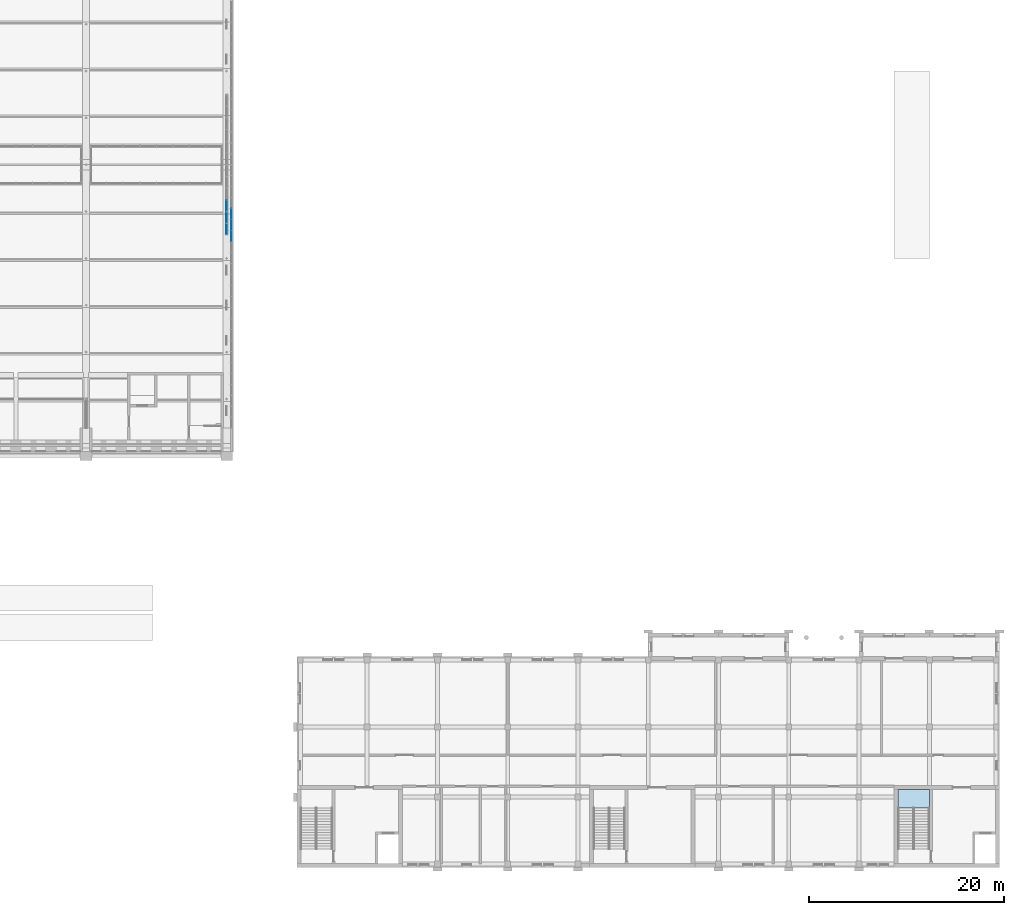
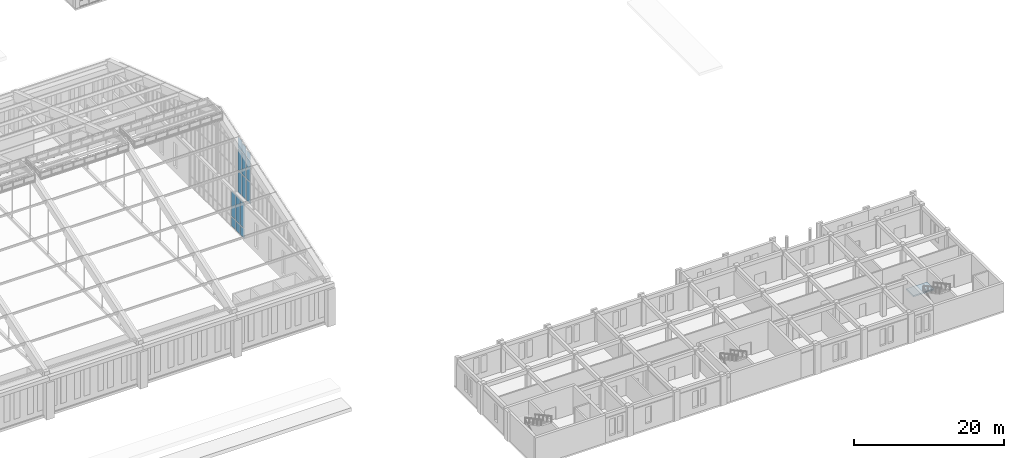
# One storey, part 117 of 149: 15 plates, 1 slab, 3 elements without a shape of their own.
"""IFC4 building model written with IfcOpenShell, lengths in metres."""

import ifcopenshell
import ifcopenshell.guid

model = None  # the IFC model being written
_history = None  # IfcOwnerHistory: only IFC2X3 demands one
_inside = {}  # id of a spatial element -> (the spatial element, [elements in it])
_under = {}  # id of a project, library or spatial element -> (it, [spatial elements below it])
_declared = {}  # id of a project -> (the project, [libraries it declares])
_typed = {}  # id of a type object -> (the type object, [elements of that type])
_made_of = {}  # id of a material, layer set ... -> (it, [elements and type objects made of it])


def new_model(schema):
    """Start an empty IFC model of exactly this schema.

    Asked for "IFC4X3", IfcOpenShell would pick the latest addendum, in which some entities
    have other attributes; the version numbers below select the first issue.
    IFC2X3 requires an IfcOwnerHistory on every rooted entity: one is made here for all.
    """
    global model, _history
    if schema == "IFC4X3":
        model = ifcopenshell.file(schema_version=(4, 3, 0, 0))
    else:
        model = ifcopenshell.file(schema=schema)
    _inside.clear()
    _under.clear()
    _declared.clear()
    _typed.clear()
    _made_of.clear()
    _history = None
    if model.schema == "IFC2X3":
        org = make("IfcOrganization", Name="unknown")
        user = make(
            "IfcPersonAndOrganization",
            ThePerson=make("IfcPerson", FamilyName="unknown"),
            TheOrganization=org,
        )
        app = make(
            "IfcApplication",
            ApplicationDeveloper=org,
            Version="unknown",
            ApplicationFullName="unknown",
            ApplicationIdentifier="unknown",
        )
        _history = make(
            "IfcOwnerHistory",
            OwningUser=user,
            OwningApplication=app,
            ChangeAction="ADDED",
            CreationDate=0,
        )
    return model


def make(cls, **values):
    """One entity of the class cls with the attributes given. An attribute that is None is left unset."""
    return model.create_entity(
        cls, **{name: value for name, value in values.items() if value is not None}
    )


def rooted(cls, **values):
    """An entity with a GlobalId (a new one), such as an element, a storey or a relation."""
    return make(cls, GlobalId=ifcopenshell.guid.new(), OwnerHistory=_history, **values)


def si_unit(unit_type, name, prefix=None):
    """IfcSIUnit, for example si_unit("LENGTHUNIT", "METRE", prefix="MILLI")."""
    return make("IfcSIUnit", UnitType=unit_type, Prefix=prefix, Name=name)


def assignment(units):
    """IfcUnitAssignment: the units of a project."""
    return None if units is None else make("IfcUnitAssignment", Units=units)


def point(xyz):
    """IfcCartesianPoint."""
    return None if xyz is None else make("IfcCartesianPoint", Coordinates=xyz)


def direction(xyz):
    """IfcDirection."""
    return None if xyz is None else make("IfcDirection", DirectionRatios=xyz)


def frame(location, z_axis=None, x_axis=None):
    """IfcAxis2Placement3D, a coordinate frame: its origin and axes. An axis left out is left unset."""
    return make(
        "IfcAxis2Placement3D",
        Location=point(location),
        Axis=direction(z_axis),
        RefDirection=direction(x_axis),
    )


def frame_2d(location, x_axis=None):
    """IfcAxis2Placement2D, a coordinate frame in the plane: its origin and x axis."""
    return make(
        "IfcAxis2Placement2D", Location=point(location), RefDirection=direction(x_axis)
    )


def origin():
    """The frame at (0, 0, 0) with its axes left unset."""
    return frame((0.0, 0.0, 0.0))


def origin_2d():
    """The frame at (0, 0) in the plane with its x axis left unset."""
    return frame_2d((0.0, 0.0))


def place(relative_to, where):
    """IfcLocalPlacement: puts the frame where relative to a parent placement (None: the world)."""
    return make(
        "IfcLocalPlacement", PlacementRelTo=relative_to, RelativePlacement=where
    )


def context(
    kind, dimensions, precision=None, world=None, true_north=None, identifier=None
):
    """IfcGeometricRepresentationContext, for example the 3D "Model" context."""
    return make(
        "IfcGeometricRepresentationContext",
        ContextIdentifier=identifier,
        ContextType=kind,
        CoordinateSpaceDimension=dimensions,
        Precision=precision,
        WorldCoordinateSystem=world,
        TrueNorth=true_north,
    )


def subcontext(parent, identifier, kind, view, scale=None):
    """IfcGeometricRepresentationSubContext, for example "Body" below "Model"."""
    return make(
        "IfcGeometricRepresentationSubContext",
        ContextIdentifier=identifier,
        ContextType=kind,
        ParentContext=parent,
        TargetScale=scale,
        TargetView=view,
    )


def project(units=None, contexts=None):
    """IfcProject with its units and contexts."""
    return rooted(
        "IfcProject",
        Name="project",
        RepresentationContexts=contexts,
        UnitsInContext=assignment(units),
    )


def spatial(cls, under=None, at=None, **own):
    """A site, building, storey or space (cls), placed at a placement, below another one or the project."""
    s = rooted(cls, ObjectPlacement=at, **own)
    if under is not None:
        _under.setdefault(under.id(), (under, []))[1].append(s)
    return s


def polyline(points):
    """IfcPolyline through the points."""
    return make("IfcPolyline", Points=[point(p) for p in points])


def profile(cls, at=None, kind="AREA", **sizes):
    """A parametric profile (cls). Its sizes go by their IFC names, for example OverallWidth=200.0."""
    return make(cls, ProfileType=kind, Position=at, **sizes)


def rectangle(**sizes):
    """IfcRectangleProfileDef."""
    return profile("IfcRectangleProfileDef", **sizes)


def outline(outer, holes=None, kind="AREA"):
    """IfcArbitraryClosedProfileDef: a profile drawn as a closed curve; with holes, ...WithVoids."""
    if holes is None:
        return make("IfcArbitraryClosedProfileDef", ProfileType=kind, OuterCurve=outer)
    return make(
        "IfcArbitraryProfileDefWithVoids",
        ProfileType=kind,
        OuterCurve=outer,
        InnerCurves=holes,
    )


def extrude(swept, where, along, depth):
    """IfcExtrudedAreaSolid: the profile swept, set in the frame where, extruded along a direction by depth."""
    return make(
        "IfcExtrudedAreaSolid",
        SweptArea=swept,
        Position=where,
        ExtrudedDirection=direction(along),
        Depth=depth,
    )


def shape(context_of_items, identifier, shape_type, items):
    """IfcShapeRepresentation: the items that make up one representation, for example the "Body"."""
    return make(
        "IfcShapeRepresentation",
        ContextOfItems=context_of_items,
        RepresentationIdentifier=identifier,
        RepresentationType=shape_type,
        Items=items,
    )


def material(Name=None, Category=None):
    """IfcMaterial."""
    return make("IfcMaterial", Name=Name, Category=Category)


def layer(
    of_material, thickness, ventilated=None, Name=None, Category=None, Priority=None
):
    """IfcMaterialLayer: one layer of a wall or slab, of a material (None: an air gap)."""
    return make(
        "IfcMaterialLayer",
        Material=of_material,
        LayerThickness=thickness,
        IsVentilated=ventilated,
        Name=Name,
        Category=Category,
        Priority=Priority,
    )


def layer_set(layers, Name=None):
    """IfcMaterialLayerSet."""
    return make("IfcMaterialLayerSet", MaterialLayers=layers, LayerSetName=Name)


def made_of(thing, what):
    """Note that an element or type object is made of a material, layer set ...; save() writes the relation."""
    if what is not None:
        _made_of.setdefault(what.id(), (what, []))[1].append(thing)
    return thing


def type_object(cls, material=None, **own):
    """A type object (cls), such as IfcWallType, which elements share."""
    return made_of(rooted(cls, **own), material)


def element(
    cls,
    number,
    at=None,
    inside=None,
    cuts=None,
    type_object=None,
    material=None,
    context=None,
    identifier="Body",
    shape_type=None,
    held_by="IfcProductDefinitionShape",
    body=None,
    shapes=None,
    **own,
):
    """One element of the class cls, such as IfcWall. Its Tag is "e" and its number.

    at: its placement. inside: the storey or other place that contains it. cuts: it is an
    opening in that element (IfcRelVoidsElement). A single representation is given by context,
    identifier, shape_type and body (its items); several are given by shapes. held_by: the class
    of the entity that holds the representations. save() writes the other relations.
    """
    e = rooted(cls, Tag="e%d" % number, ObjectPlacement=at, **own)
    if body is not None:
        shapes = [shape(context, identifier, shape_type, body)]
    if shapes is not None:
        e.Representation = make(held_by, Representations=shapes)
    if inside is not None:
        _inside.setdefault(inside.id(), (inside, []))[1].append(e)
    if cuts is not None:
        rooted(
            "IfcRelVoidsElement", RelatingBuildingElement=cuts, RelatedOpeningElement=e
        )
    if type_object is not None:
        _typed.setdefault(type_object.id(), (type_object, []))[1].append(e)
    return made_of(e, material)


def aggregate(whole, parts):
    """IfcRelAggregates: a whole, such as a stair, and the parts it consists of."""
    return rooted("IfcRelAggregates", RelatingObject=whole, RelatedObjects=parts)


def save(model, path):
    """Write the relations noted so far, then the file.

    IfcRelAggregates (storeys below a building ...), IfcRelContainedInSpatialStructure (elements
    in a storey), IfcRelDefinesByType, IfcRelAssociatesMaterial and IfcRelDeclares: one each for
    every whole, place, type object, material and project.
    """
    for whole, parts in _under.values():
        aggregate(whole, parts)
    for where, things in _inside.values():
        rooted(
            "IfcRelContainedInSpatialStructure",
            RelatedElements=things,
            RelatingStructure=where,
        )
    for kind, things in _typed.values():
        rooted("IfcRelDefinesByType", RelatedObjects=things, RelatingType=kind)
    for what, things in _made_of.values():
        rooted("IfcRelAssociatesMaterial", RelatedObjects=things, RelatingMaterial=what)
    for by, libraries in _declared.values():
        rooted("IfcRelDeclares", RelatingContext=by, RelatedDefinitions=libraries)
    model.write(path)


model = new_model("IFC4")

# Units and contexts
model_context = context("Model", 3, precision=1e-05, world=origin(), true_north=direction((0.0, 1.0)))
body_context = subcontext(model_context, "Body", "Model", "MODEL_VIEW")
ifc_project = project(units=[si_unit("LENGTHUNIT", "METRE"), si_unit("AREAUNIT", "SQUARE_METRE"), si_unit("VOLUMEUNIT", "CUBIC_METRE"), si_unit("PLANEANGLEUNIT", "RADIAN"), si_unit("MASSUNIT", "GRAM", prefix="KILO")], contexts=[model_context])

# Site, building, storey
site_placement = place(None, origin())
site = spatial("IfcSite", under=ifc_project, at=site_placement, CompositionType="ELEMENT")
building_placement = place(site_placement, origin())
building = spatial("IfcBuilding", under=site, at=building_placement, Name="Alderwick Market Hall", CompositionType="ELEMENT")
storey_placement = place(building_placement, frame((0.0, 0.0, 9.60009765625)))
storey = spatial("IfcBuildingStorey", under=building, at=storey_placement, Name="L01", CompositionType="ELEMENT", Elevation=9.60009765625)

# Stair, slab
ifc_material_1 = material(Name="Concrete 5000 psi (f'c 35 MPa)", Category="concrete")
stair_type = type_object("IfcStairType", Name="C Exit Stair 1600", PredefinedType="HALF_TURN_STAIR", material=ifc_material_1)
stair_placement = place(storey_placement, origin())
stair = element("IfcStair", 1, at=stair_placement, inside=storey, type_object=stair_type, Name="C.stair.L01.C", PredefinedType="HALF_TURN_STAIR")
ifc_layer_1 = layer(ifc_material_1, 0.199951171875)
ifc_layer_set_1 = layer_set([ifc_layer_1], Name="Concrete 5000 psi (f'c 35 MPa)")
slab_type = type_object("IfcSlabType", Name="C Stair Landing Concrete 5000 psi 200", PredefinedType="LANDING", material=ifc_layer_set_1)
slab_placement = place(storey_placement, frame((0.0, 0.0, 2.199951171875)))
slab = element("IfcSlab", 2, at=slab_placement, type_object=slab_type, Name="C-ST-C-L01 landing 1", PredefinedType="LANDING", context=body_context, shape_type="SweptSolid", body=[
    extrude(outline(polyline([(220.0, 15.199951171875), (223.199951171875, 15.199951171875), (223.199951171875, 13.300048828125), (220.0, 13.300048828125), (220.0, 15.199951171875)])), origin(), (0.0, 0.0, 1.0), 0.199951171875),
])
aggregate(stair, [slab])

# Curtain wall, plates
ifc_material_2 = material(Name="Aluminium", Category="aluminium")
curtain_wall_type = type_object("IfcCurtainWallType", Name="R Curtain Wall Frame", PredefinedType="NOTDEFINED", material=ifc_material_2)
curtain_wall_1_placement = place(storey_placement, origin())
curtain_wall_1 = element("IfcCurtainWall", 3, at=curtain_wall_1_placement, inside=storey, type_object=curtain_wall_type, Name="Curtain wall GCW2", PredefinedType="NOTDEFINED")
ifc_material_3 = material(Name="Glass 8+8 mm PVB interlayer", Category="glass")
ifc_layer_2 = layer(ifc_material_3, 0.028076171875)
ifc_layer_set_2 = layer_set([ifc_layer_2], Name="Glass 8+8 mm PVB interlayer")
plate_type = type_object("IfcPlateType", Name="R CW Panel IGU 28", PredefinedType="CURTAIN_PANEL", material=ifc_layer_set_2)
plate_1_placement = place(storey_placement, frame((151.199951171875, 72.614990234375, 0.119873046875), z_axis=(0.0, 0.0, 1.0), x_axis=(1.0, 0.0, 0.0)))
plate_1 = element("IfcPlate", 4, at=plate_1_placement, type_object=plate_type, Name="GCW2 panel 1.1", PredefinedType="CURTAIN_PANEL", context=body_context, shape_type="SweptSolid", body=[
    extrude(rectangle(XDim=0.028076171875, YDim=1.110107421875, at=origin_2d()), origin(), (0.0, 0.0, 1.0), 1.52001953125),
])
plate_2_placement = place(storey_placement, frame((151.199951171875, 72.614990234375, 1.759765625), z_axis=(0.0, 0.0, 1.0), x_axis=(1.0, 0.0, 0.0)))
plate_2 = element("IfcPlate", 5, at=plate_2_placement, type_object=plate_type, Name="GCW2 panel 1.2", PredefinedType="CURTAIN_PANEL", context=body_context, shape_type="SweptSolid", body=[
    extrude(rectangle(XDim=0.028076171875, YDim=1.110107421875, at=origin_2d()), origin(), (0.0, 0.0, 1.0), 4.06689453125),
])
plate_3_placement = place(storey_placement, frame((151.199951171875, 73.800048828125, 0.119873046875), z_axis=(0.0, 0.0, 1.0), x_axis=(1.0, 0.0, 0.0)))
plate_3 = element("IfcPlate", 6, at=plate_3_placement, type_object=plate_type, Name="GCW2 panel 2.1", PredefinedType="CURTAIN_PANEL", context=body_context, shape_type="SweptSolid", body=[
    extrude(rectangle(XDim=0.028076171875, YDim=1.139892578125, at=origin_2d()), origin(), (0.0, 0.0, 1.0), 1.52001953125),
])
plate_4_placement = place(storey_placement, frame((151.199951171875, 73.800048828125, 1.759765625), z_axis=(0.0, 0.0, 1.0), x_axis=(1.0, 0.0, 0.0)))
plate_4 = element("IfcPlate", 7, at=plate_4_placement, type_object=plate_type, Name="GCW2 panel 2.2", PredefinedType="CURTAIN_PANEL", context=body_context, shape_type="SweptSolid", body=[
    extrude(rectangle(XDim=0.028076171875, YDim=1.139892578125, at=origin_2d()), origin(), (0.0, 0.0, 1.0), 4.06689453125),
])
plate_5_placement = place(storey_placement, frame((151.199951171875, 75.0, 0.119873046875), z_axis=(0.0, 0.0, 1.0), x_axis=(1.0, 0.0, 0.0)))
plate_5 = element("IfcPlate", 8, at=plate_5_placement, type_object=plate_type, Name="GCW2 panel 3.1", PredefinedType="CURTAIN_PANEL", context=body_context, shape_type="SweptSolid", body=[
    extrude(rectangle(XDim=0.028076171875, YDim=1.139892578125, at=origin_2d()), origin(), (0.0, 0.0, 1.0), 1.52001953125),
])
plate_6_placement = place(storey_placement, frame((151.199951171875, 75.0, 1.759765625), z_axis=(0.0, 0.0, 1.0), x_axis=(1.0, 0.0, 0.0)))
plate_6 = element("IfcPlate", 9, at=plate_6_placement, type_object=plate_type, Name="GCW2 panel 3.2", PredefinedType="CURTAIN_PANEL", context=body_context, shape_type="SweptSolid", body=[
    extrude(rectangle(XDim=0.028076171875, YDim=1.139892578125, at=origin_2d()), origin(), (0.0, 0.0, 1.0), 4.06689453125),
])
aggregate(curtain_wall_1, [plate_1, plate_2, plate_3, plate_4, plate_5, plate_6])

curtain_wall_2_placement = place(storey_placement, origin())
curtain_wall_2 = element("IfcCurtainWall", 10, at=curtain_wall_2_placement, inside=storey, type_object=curtain_wall_type, Name="Curtain wall GCW3", PredefinedType="NOTDEFINED")
plate_7_placement = place(storey_placement, frame((151.675048828125, 71.887451171875, 6.066650390625), z_axis=(0.0, 0.0, 1.0), x_axis=(1.0, 0.0, 0.0)))
plate_7 = element("IfcPlate", 11, at=plate_7_placement, type_object=plate_type, Name="GCW3 panel 18.1", PredefinedType="CURTAIN_PANEL", context=body_context, shape_type="SweptSolid", body=[
    extrude(rectangle(XDim=0.028076171875, YDim=1.06494140625, at=origin_2d()), origin(), (0.0, 0.0, 1.0), 3.419921875),
])
plate_8_placement = place(storey_placement, frame((151.675048828125, 71.887451171875, 9.606689453125), z_axis=(0.0, 0.0, 1.0), x_axis=(1.0, 0.0, 0.0)))
plate_8 = element("IfcPlate", 12, at=plate_8_placement, type_object=plate_type, Name="GCW3 panel 18.2", PredefinedType="CURTAIN_PANEL", context=body_context, shape_type="SweptSolid", body=[
    extrude(rectangle(XDim=0.028076171875, YDim=1.06494140625, at=origin_2d()), origin(), (0.0, 0.0, 1.0), 3.47998046875),
])
plate_9_placement = place(storey_placement, frame((151.675048828125, 71.887451171875, 13.206787109375), z_axis=(0.0, 0.0, 1.0), x_axis=(1.0, 0.0, 0.0)))
plate_9 = element("IfcPlate", 13, at=plate_9_placement, type_object=plate_type, Name="GCW3 panel 18.3", PredefinedType="CURTAIN_PANEL", context=body_context, shape_type="SweptSolid", body=[
    extrude(rectangle(XDim=0.028076171875, YDim=1.06494140625, at=origin_2d()), origin(), (0.0, 0.0, 1.0), 1.01220703125),
])
plate_10_placement = place(storey_placement, frame((151.675048828125, 73.012451171875, 6.066650390625), z_axis=(0.0, 0.0, 1.0), x_axis=(1.0, 0.0, 0.0)))
plate_10 = element("IfcPlate", 14, at=plate_10_placement, type_object=plate_type, Name="GCW3 panel 19.1", PredefinedType="CURTAIN_PANEL", context=body_context, shape_type="SweptSolid", body=[
    extrude(rectangle(XDim=0.028076171875, YDim=1.06494140625, at=origin_2d()), origin(), (0.0, 0.0, 1.0), 3.419921875),
])
plate_11_placement = place(storey_placement, frame((151.675048828125, 73.012451171875, 9.606689453125), z_axis=(0.0, 0.0, 1.0), x_axis=(1.0, 0.0, 0.0)))
plate_11 = element("IfcPlate", 15, at=plate_11_placement, type_object=plate_type, Name="GCW3 panel 19.2", PredefinedType="CURTAIN_PANEL", context=body_context, shape_type="SweptSolid", body=[
    extrude(rectangle(XDim=0.028076171875, YDim=1.06494140625, at=origin_2d()), origin(), (0.0, 0.0, 1.0), 3.47998046875),
])
plate_12_placement = place(storey_placement, frame((151.675048828125, 73.012451171875, 13.206787109375), z_axis=(0.0, 0.0, 1.0), x_axis=(1.0, 0.0, 0.0)))
plate_12 = element("IfcPlate", 16, at=plate_12_placement, type_object=plate_type, Name="GCW3 panel 19.3", PredefinedType="CURTAIN_PANEL", context=body_context, shape_type="SweptSolid", body=[
    extrude(rectangle(XDim=0.028076171875, YDim=1.06494140625, at=origin_2d()), origin(), (0.0, 0.0, 1.0), 1.38720703125),
])
plate_13_placement = place(storey_placement, frame((151.675048828125, 74.137451171875, 6.066650390625), z_axis=(0.0, 0.0, 1.0), x_axis=(1.0, 0.0, 0.0)))
plate_13 = element("IfcPlate", 17, at=plate_13_placement, type_object=plate_type, Name="GCW3 panel 20.1", PredefinedType="CURTAIN_PANEL", context=body_context, shape_type="SweptSolid", body=[
    extrude(rectangle(XDim=0.028076171875, YDim=1.06494140625, at=origin_2d()), origin(), (0.0, 0.0, 1.0), 3.419921875),
])
plate_14_placement = place(storey_placement, frame((151.675048828125, 74.137451171875, 9.606689453125), z_axis=(0.0, 0.0, 1.0), x_axis=(1.0, 0.0, 0.0)))
plate_14 = element("IfcPlate", 18, at=plate_14_placement, type_object=plate_type, Name="GCW3 panel 20.2", PredefinedType="CURTAIN_PANEL", context=body_context, shape_type="SweptSolid", body=[
    extrude(rectangle(XDim=0.028076171875, YDim=1.06494140625, at=origin_2d()), origin(), (0.0, 0.0, 1.0), 3.47998046875),
])
plate_15_placement = place(storey_placement, frame((151.675048828125, 74.137451171875, 13.206787109375), z_axis=(0.0, 0.0, 1.0), x_axis=(1.0, 0.0, 0.0)))
plate_15 = element("IfcPlate", 19, at=plate_15_placement, type_object=plate_type, Name="GCW3 panel 20.3", PredefinedType="CURTAIN_PANEL", context=body_context, shape_type="SweptSolid", body=[
    extrude(rectangle(XDim=0.028076171875, YDim=1.06494140625, at=origin_2d()), origin(), (0.0, 0.0, 1.0), 1.76220703125),
])
aggregate(curtain_wall_2, [plate_7, plate_8, plate_9, plate_10, plate_11, plate_12, plate_13, plate_14, plate_15])

save(model, "model.ifc")
